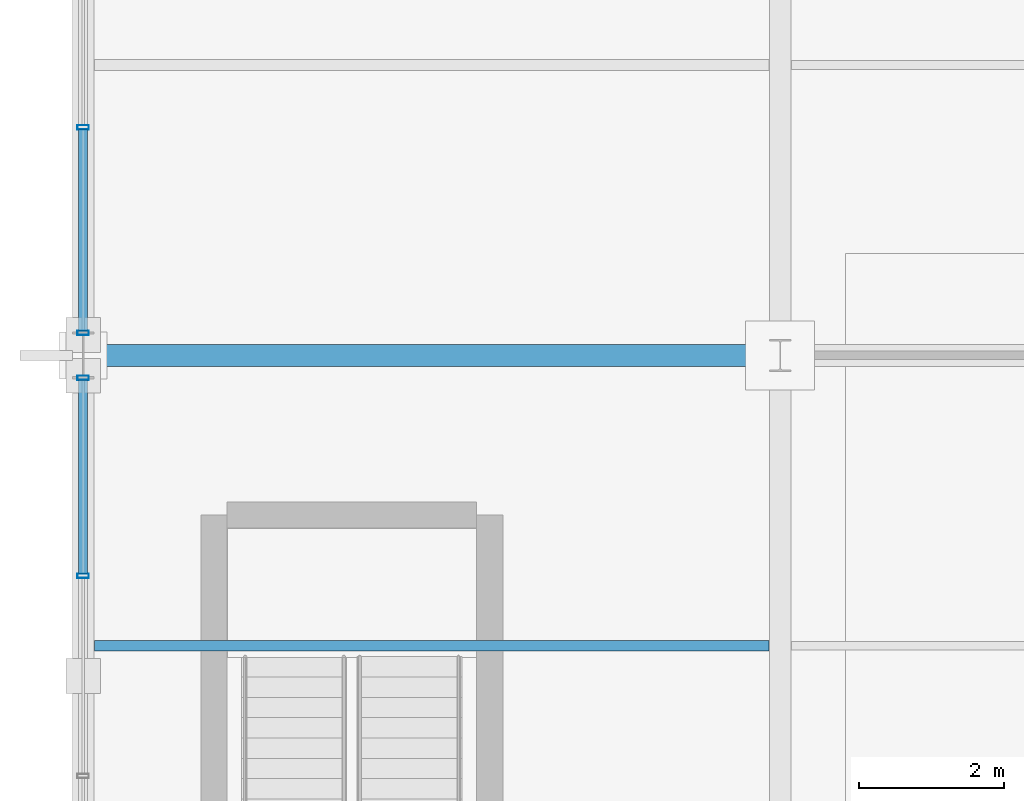
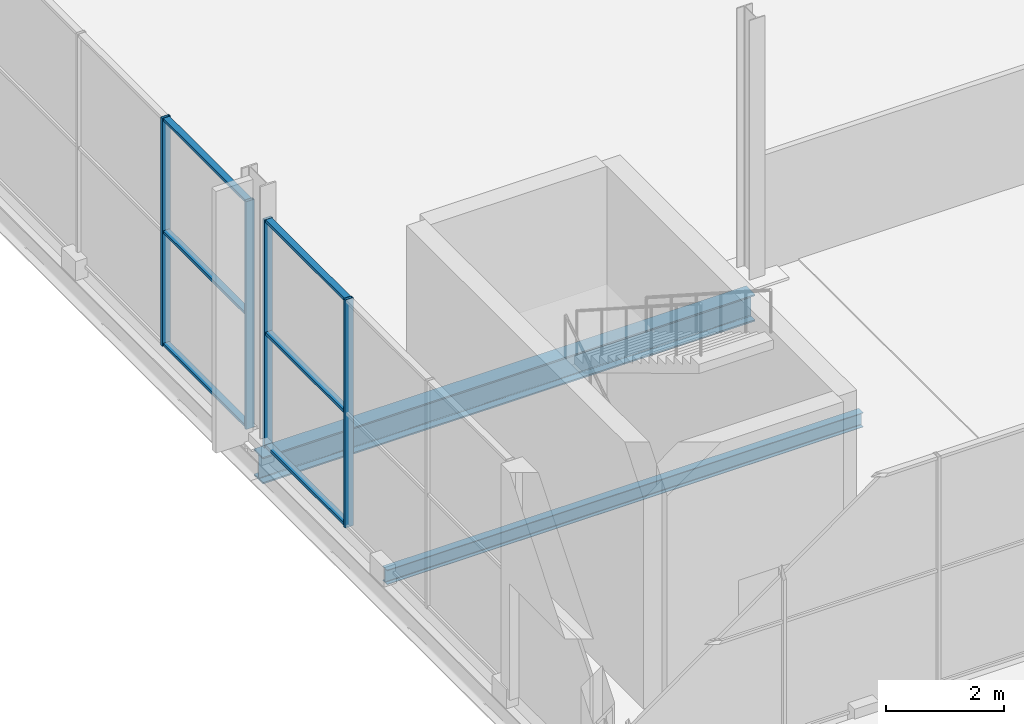
# One storey, part 30 of 196: 10 members, 2 beams, 2 elements without a shape of their own.
"""IFC4 building model written with IfcOpenShell, lengths in metres."""

from ifc_helpers import new_model, si_unit, direction, frame, origin, origin_2d, place, context, subcontext, project, spatial, hollow_rectangle, i_section, extrude, material, material_profile, profile_set, type_object, element, aggregate, save


model = new_model("IFC4")

# Units and contexts
model_context = context("Model", 3, precision=1e-05, world=origin(), true_north=direction((0.0, 1.0)))
body_context = subcontext(model_context, "Body", "Model", "MODEL_VIEW")
ifc_project = project(units=[si_unit("LENGTHUNIT", "METRE"), si_unit("AREAUNIT", "SQUARE_METRE"), si_unit("VOLUMEUNIT", "CUBIC_METRE"), si_unit("PLANEANGLEUNIT", "RADIAN"), si_unit("MASSUNIT", "GRAM", prefix="KILO")], contexts=[model_context])

# Site, building, storey
site_placement = place(None, origin())
site = spatial("IfcSite", under=ifc_project, at=site_placement, CompositionType="ELEMENT")
building_placement = place(site_placement, origin())
building = spatial("IfcBuilding", under=site, at=building_placement, Name="Merenkruunu Market Hall", CompositionType="ELEMENT")
storey_placement = place(building_placement, origin())
storey = spatial("IfcBuildingStorey", under=building, at=storey_placement, Name="L00", CompositionType="ELEMENT", Elevation=0.0)

# Curtain wall, members
ifc_material_1 = material(Name="Powder-coated aluminium", Category="aluminium")
curtain_wall_type_1 = type_object("IfcCurtainWallType", Name="Glazed Curtain Wall CW01", PredefinedType="USERDEFINED", material=ifc_material_1)
curtain_wall_1_placement = place(storey_placement, origin())
curtain_wall_1 = element("IfcCurtainWall", 1, at=curtain_wall_1_placement, inside=storey, type_object=curtain_wall_type_1, Name="CW-L00-CWM01-001", ObjectType="GLAZED_FACADE", PredefinedType="USERDEFINED")
ifc_material_profile_1 = material_profile(ifc_material_1, hollow_rectangle(XDim=0.06005859375, YDim=0.159912109375, WallThickness=0.00390625, at=origin_2d()), Name="ALU 60x160x4")
ifc_profile_set_1 = profile_set([ifc_material_profile_1], Name="Powder-coated aluminium")
member_type_1 = type_object("IfcMemberType", Name="Curtain Wall Mullion CWM01", PredefinedType="MULLION", material=ifc_profile_set_1)
member_1_placement = place(storey_placement, frame((0.0, 24.563232421875, 0.0), z_axis=(0.0, 0.0, 1.0), x_axis=(0.0, 1.0, 0.0)))
member_1 = element("IfcMember", 2, at=member_1_placement, type_object=member_type_1, Name="CW01 mullion 3", PredefinedType="MULLION", context=body_context, shape_type="SweptSolid", body=[
    extrude(hollow_rectangle(XDim=0.06005859375, YDim=0.159912109375, WallThickness=0.00390625, at=origin_2d()), origin(), (0.0, 0.0, 1.0), 4.699951171875),
])
member_2_placement = place(storey_placement, frame((0.0, 27.2900390625, 0.0), z_axis=(0.0, 0.0, 1.0), x_axis=(0.0, 1.0, 0.0)))
member_2 = element("IfcMember", 3, at=member_2_placement, type_object=member_type_1, Name="CW01 mullion 4", PredefinedType="MULLION", context=body_context, shape_type="SweptSolid", body=[
    extrude(hollow_rectangle(XDim=0.06005859375, YDim=0.159912109375, WallThickness=0.00390625, at=origin_2d()), origin(), (0.0, 0.0, 1.0), 4.699951171875),
])

curtain_wall_type_2 = type_object("IfcCurtainWallType", Name="Glazed Curtain Wall CW04", PredefinedType="USERDEFINED", material=ifc_material_1)
curtain_wall_2_placement = place(storey_placement, origin())
curtain_wall_2 = element("IfcCurtainWall", 4, at=curtain_wall_2_placement, inside=storey, type_object=curtain_wall_type_2, Name="CW-L00-CWM01-004", ObjectType="GLAZED_FACADE", PredefinedType="USERDEFINED")
member_3_placement = place(storey_placement, frame((0.0, 27.909912109375, 0.0), z_axis=(0.0, 0.0, 1.0), x_axis=(0.0, 1.0, 0.0)))
member_3 = element("IfcMember", 5, at=member_3_placement, type_object=member_type_1, Name="CW04 mullion 1", PredefinedType="MULLION", context=body_context, shape_type="SweptSolid", body=[
    extrude(hollow_rectangle(XDim=0.06005859375, YDim=0.159912109375, WallThickness=0.00390625, at=origin_2d()), origin(), (0.0, 0.0, 1.0), 4.699951171875),
])
member_4_placement = place(storey_placement, frame((0.0, 30.739990234375, 0.0), z_axis=(0.0, 0.0, 1.0), x_axis=(0.0, 1.0, 0.0)))
member_4 = element("IfcMember", 6, at=member_4_placement, type_object=member_type_1, Name="CW04 mullion 2", PredefinedType="MULLION", context=body_context, shape_type="SweptSolid", body=[
    extrude(hollow_rectangle(XDim=0.06005859375, YDim=0.159912109375, WallThickness=0.00390625, at=origin_2d()), origin(), (0.0, 0.0, 1.0), 4.699951171875),
])

# Member
ifc_material_profile_2 = material_profile(ifc_material_1, hollow_rectangle(XDim=0.06005859375, YDim=0.125, WallThickness=0.00390625, at=origin_2d()), Name="ALU 60x125x4")
ifc_profile_set_2 = profile_set([ifc_material_profile_2], Name="Powder-coated aluminium")
member_type_2 = type_object("IfcMemberType", Name="Curtain Wall Transom CWT01", PredefinedType="USERDEFINED", material=ifc_profile_set_2)
member_5_placement = place(storey_placement, frame((0.0, 24.59326171875, 0.030029296875), z_axis=(0.0, 1.0, 0.0), x_axis=(0.0, 0.0, 1.0)))
member_5 = element("IfcMember", 7, at=member_5_placement, type_object=member_type_2, Name="CW01 transom 3.1", ObjectType="TRANSOM", PredefinedType="USERDEFINED", context=body_context, shape_type="SweptSolid", body=[
    extrude(hollow_rectangle(XDim=0.06005859375, YDim=0.125, WallThickness=0.00390625, at=origin_2d()), origin(), (0.0, 0.0, 1.0), 2.666748046875),
])

member_6_placement = place(storey_placement, frame((0.0, 24.59326171875, 2.35009765625), z_axis=(0.0, 1.0, 0.0), x_axis=(0.0, 0.0, 1.0)))
member_6 = element("IfcMember", 8, at=member_6_placement, type_object=member_type_2, Name="CW01 transom 3.2", ObjectType="TRANSOM", PredefinedType="USERDEFINED", context=body_context, shape_type="SweptSolid", body=[
    extrude(hollow_rectangle(XDim=0.06005859375, YDim=0.125, WallThickness=0.00390625, at=origin_2d()), origin(), (0.0, 0.0, 1.0), 2.666748046875),
])

member_7_placement = place(storey_placement, frame((0.0, 24.59326171875, 4.669921875), z_axis=(0.0, 1.0, 0.0), x_axis=(0.0, 0.0, 1.0)))
member_7 = element("IfcMember", 9, at=member_7_placement, type_object=member_type_2, Name="CW01 transom 3.3", ObjectType="TRANSOM", PredefinedType="USERDEFINED", context=body_context, shape_type="SweptSolid", body=[
    extrude(hollow_rectangle(XDim=0.06005859375, YDim=0.125, WallThickness=0.00390625, at=origin_2d()), origin(), (0.0, 0.0, 1.0), 2.666748046875),
])

aggregate(curtain_wall_1, [member_1, member_2, member_5, member_6, member_7])

member_8_placement = place(storey_placement, frame((0.0, 27.93994140625, 0.030029296875), z_axis=(0.0, 1.0, 0.0), x_axis=(0.0, 0.0, 1.0)))
member_8 = element("IfcMember", 10, at=member_8_placement, type_object=member_type_2, Name="CW04 transom 1.1", ObjectType="TRANSOM", PredefinedType="USERDEFINED", context=body_context, shape_type="SweptSolid", body=[
    extrude(hollow_rectangle(XDim=0.06005859375, YDim=0.125, WallThickness=0.00390625, at=origin_2d()), origin(), (0.0, 0.0, 1.0), 2.77001953125),
])

member_9_placement = place(storey_placement, frame((0.0, 27.93994140625, 2.35009765625), z_axis=(0.0, 1.0, 0.0), x_axis=(0.0, 0.0, 1.0)))
member_9 = element("IfcMember", 11, at=member_9_placement, type_object=member_type_2, Name="CW04 transom 1.2", ObjectType="TRANSOM", PredefinedType="USERDEFINED", context=body_context, shape_type="SweptSolid", body=[
    extrude(hollow_rectangle(XDim=0.06005859375, YDim=0.125, WallThickness=0.00390625, at=origin_2d()), origin(), (0.0, 0.0, 1.0), 2.77001953125),
])

member_10_placement = place(storey_placement, frame((0.0, 27.93994140625, 4.669921875), z_axis=(0.0, 1.0, 0.0), x_axis=(0.0, 0.0, 1.0)))
member_10 = element("IfcMember", 12, at=member_10_placement, type_object=member_type_2, Name="CW04 transom 1.3", ObjectType="TRANSOM", PredefinedType="USERDEFINED", context=body_context, shape_type="SweptSolid", body=[
    extrude(hollow_rectangle(XDim=0.06005859375, YDim=0.125, WallThickness=0.00390625, at=origin_2d()), origin(), (0.0, 0.0, 1.0), 2.77001953125),
])

aggregate(curtain_wall_2, [member_3, member_4, member_8, member_9, member_10])

# Beams
ifc_material_2 = material(Name="Steel S355J2", Category="steel")
ifc_material_profile_3 = material_profile(ifc_material_2, i_section(OverallWidth=0.300048828125, OverallDepth=0.550048828125, WebThickness=0.014892578125, FlangeThickness=0.029052734375, FilletRadius=0.027099609375, at=origin_2d()), Name="HEB 550")
ifc_profile_set_3 = profile_set([ifc_material_profile_3], Name="Steel S355J2")
beam_type_1 = type_object("IfcBeamType", Name="Primary Floor Girder B02", PredefinedType="BEAM", material=ifc_profile_set_3)
beam_1_placement = place(storey_placement, frame((0.0, 27.60009765625, -0.614990234375), z_axis=(1.0, 0.0, 0.0), x_axis=(0.0, 1.0, 0.0)))
element("IfcBeam", 13, at=beam_1_placement, inside=storey, type_object=beam_type_1, Name="BM-L00-B02-0027", PredefinedType="BEAM", context=body_context, shape_type="SweptSolid", body=[
    extrude(i_section(OverallWidth=0.300048828125, OverallDepth=0.550048828125, WebThickness=0.014892578125, FlangeThickness=0.029052734375, FilletRadius=0.027099609375, at=origin_2d()), origin(), (0.0, 0.0, 1.0), 9.60009765625),
])
ifc_material_profile_4 = material_profile(ifc_material_2, i_section(OverallWidth=0.14990234375, OverallDepth=0.300048828125, WebThickness=0.007080078125, FlangeThickness=0.0107421875, FilletRadius=0.014892578125, at=origin_2d()), Name="IPE 300")
ifc_profile_set_4 = profile_set([ifc_material_profile_4], Name="Steel S355J2")
beam_type_2 = type_object("IfcBeamType", Name="Secondary Floor Joist J04", PredefinedType="JOIST", material=ifc_profile_set_4)
beam_2_placement = place(storey_placement, frame((0.153076171875, 23.60009765625, -0.489990234375), z_axis=(1.0, 0.0, 0.0), x_axis=(0.0, 1.0, 0.0)))
element("IfcBeam", 14, at=beam_2_placement, inside=storey, type_object=beam_type_2, Name="BM-L00-J04-0275", PredefinedType="JOIST", context=body_context, shape_type="SweptSolid", body=[
    extrude(i_section(OverallWidth=0.14990234375, OverallDepth=0.300048828125, WebThickness=0.007080078125, FlangeThickness=0.0107421875, FilletRadius=0.014892578125, at=origin_2d()), origin(), (0.0, 0.0, 1.0), 9.2939453125),
])

save(model, "model.ifc")
